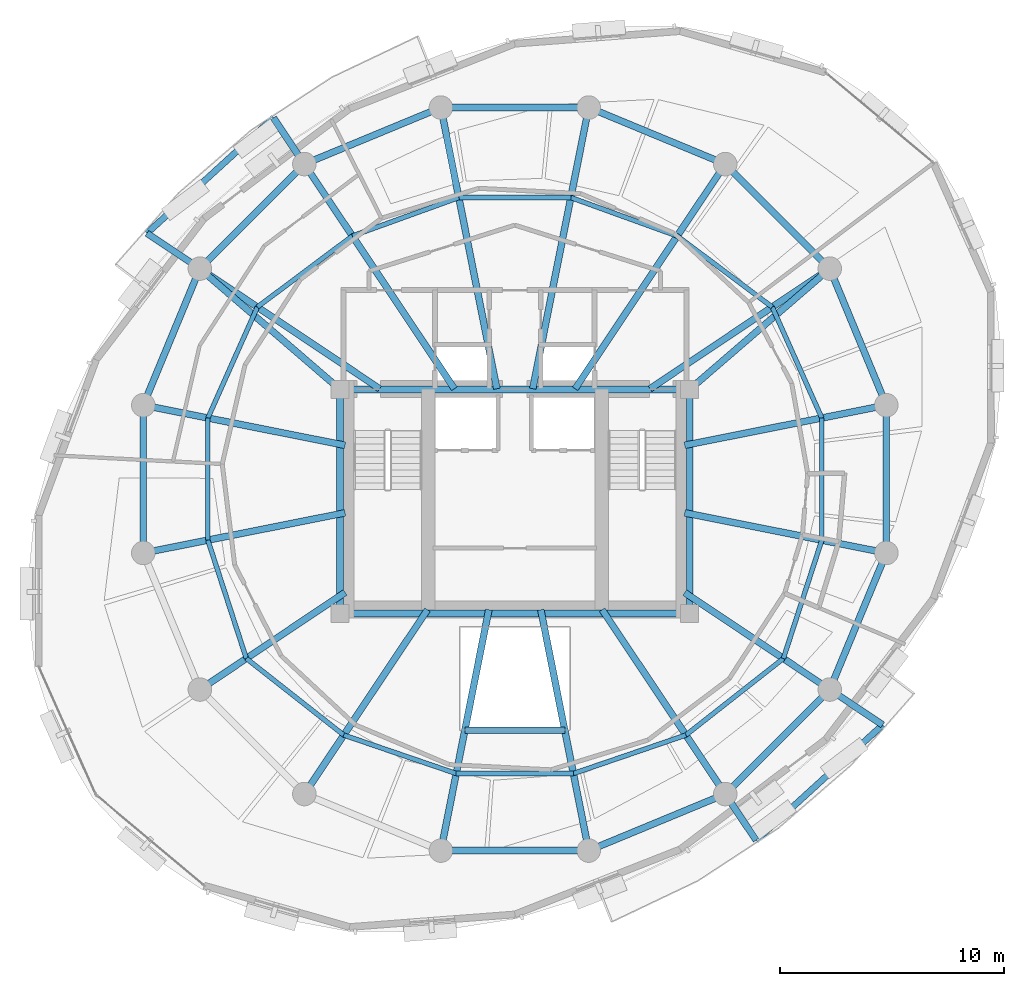
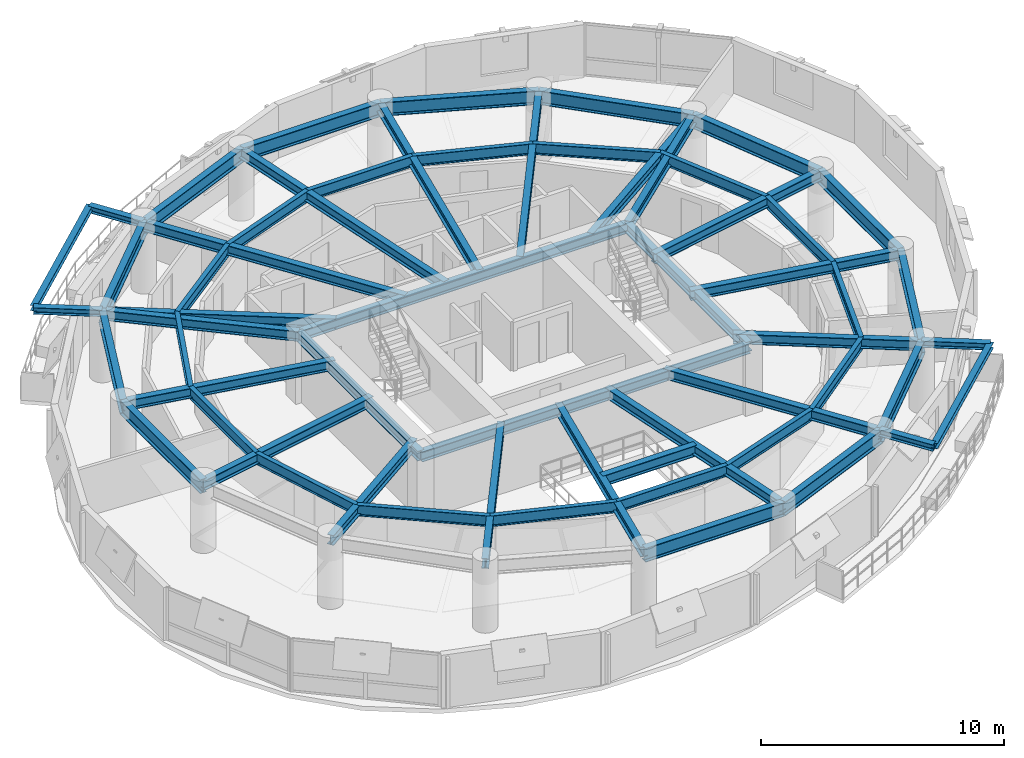
# One storey, part 5 of 12: 58 beams.
"""IFC4 building model written with IfcOpenShell, lengths in metres."""

from ifc_helpers import new_model, si_unit, direction, frame, origin, origin_2d, place, context, subcontext, project, spatial, i_section, extrude, material, material_profile, profile_set, type_object, element, save


model = new_model("IFC4")

# Units and contexts
model_context = context("Model", 3, precision=1e-05, world=origin(), true_north=direction((0.0, 1.0)))
body_context = subcontext(model_context, "Body", "Model", "MODEL_VIEW")
ifc_project = project(units=[si_unit("LENGTHUNIT", "METRE"), si_unit("AREAUNIT", "SQUARE_METRE"), si_unit("VOLUMEUNIT", "CUBIC_METRE"), si_unit("PLANEANGLEUNIT", "RADIAN"), si_unit("MASSUNIT", "GRAM", prefix="KILO"), si_unit("THERMODYNAMICTEMPERATUREUNIT", "KELVIN"), si_unit("POWERUNIT", "WATT")], contexts=[model_context])

# Site, building, storey
site_placement = place(None, origin())
site = spatial("IfcSite", under=ifc_project, at=site_placement, CompositionType="ELEMENT")
building_placement = place(site_placement, origin())
building = spatial("IfcBuilding", under=site, at=building_placement, Name="Ocrelia Relay Tower", CompositionType="ELEMENT")
storey_placement = place(building_placement, frame((0.0, 0.0, 188.0)))
storey = spatial("IfcBuildingStorey", under=building, at=storey_placement, Name="L45", CompositionType="ELEMENT", Elevation=188.0)

# Beams
ifc_material = material(Name="Steel S355", Category="steel")
ifc_material_profile_1 = material_profile(ifc_material, i_section(OverallWidth=0.280029296875, OverallDepth=0.27001953125, WebThickness=0.008056640625, FlangeThickness=0.012939453125, FilletRadius=0.02392578125, at=origin_2d()), Name="HEA 280")
ifc_profile_set_1 = profile_set([ifc_material_profile_1], Name="Steel S355")
beam_type_1 = type_object("IfcBeamType", Name="BM-HEA280", PredefinedType="BEAM", material=ifc_profile_set_1)
for number, where, z_axis, x_axis, name in (
    (1, (23.233154296875, 42.11376953125, 3.2451171875), (-0.738874882171, -0.673842643721, 0.0), (0.673842643721, -0.738874882171, 0.0), "L46 Balcony Edge Trimmer Beam B1"),
    (2, (44.766845703125, 9.88623046875, 3.2451171875), (0.738874882171, 0.673842643721, 0.0), (-0.673842643721, 0.738874882171, 0.0), "L46 Balcony Edge Trimmer Beam B2"),
):
    element("IfcBeam", number, at=place(storey_placement, frame(where, z_axis=z_axis, x_axis=x_axis)), inside=storey, type_object=beam_type_1, Name=name, PredefinedType="BEAM", context=body_context, shape_type="SweptSolid", body=[
        extrude(i_section(OverallWidth=0.280029296875, OverallDepth=0.27001953125, WebThickness=0.008056640625, FlangeThickness=0.012939453125, FilletRadius=0.02392578125, at=origin_2d()), origin(), (0.0, 0.0, 1.0), 7.6396484375),
    ])
ifc_material_profile_2 = material_profile(ifc_material, i_section(OverallWidth=0.300048828125, OverallDepth=0.330078125, WebThickness=0.009521484375, FlangeThickness=0.0166015625, FilletRadius=0.027099609375, at=origin_2d()), Name="HEA 340")
ifc_profile_set_2 = profile_set([ifc_material_profile_2], Name="Steel S355")
beam_type_2 = type_object("IfcBeamType", Name="BM-HEA340", PredefinedType="BEAM", material=ifc_profile_set_2)
beam_1_placement = place(storey_placement, frame((24.61083984375, 40.0517578125, 3.215087890625), z_axis=(-0.555540505254, 0.831489474992, 0.0), x_axis=(-0.831489474992, -0.555540505254, 0.0)))
element("IfcBeam", 3, at=beam_1_placement, inside=storey, type_object=beam_type_2, Name="L46 Balcony Cantilever Beam B1-1", PredefinedType="BEAM", context=body_context, shape_type="SweptSolid", body=[
    extrude(i_section(OverallWidth=0.300048828125, OverallDepth=0.330078125, WebThickness=0.009521484375, FlangeThickness=0.0166015625, FilletRadius=0.027099609375, at=origin_2d()), origin(), (0.0, 0.0, 1.0), 2.47998046875),
])
beam_2_placement = place(storey_placement, frame((19.9482421875, 35.38916015625, 3.215087890625), z_axis=(-0.831494038542, 0.55553367483, 0.0), x_axis=(-0.55553367483, -0.831494038542, 0.0)))
element("IfcBeam", 4, at=beam_2_placement, inside=storey, type_object=beam_type_2, Name="L46 Balcony Cantilever Beam B1-2", PredefinedType="BEAM", context=body_context, shape_type="SweptSolid", body=[
    extrude(i_section(OverallWidth=0.300048828125, OverallDepth=0.330078125, WebThickness=0.009521484375, FlangeThickness=0.0166015625, FilletRadius=0.027099609375, at=origin_2d()), origin(), (0.0, 0.0, 1.0), 2.838134765625),
])
beam_3_placement = place(storey_placement, frame((43.38916015625, 11.9482421875, 3.215087890625), z_axis=(0.555540505254, -0.831489474992, 0.0), x_axis=(0.831489474992, 0.555540505254, 0.0)))
element("IfcBeam", 5, at=beam_3_placement, inside=storey, type_object=beam_type_2, Name="L46 Balcony Cantilever Beam B2-1", PredefinedType="BEAM", context=body_context, shape_type="SweptSolid", body=[
    extrude(i_section(OverallWidth=0.300048828125, OverallDepth=0.330078125, WebThickness=0.009521484375, FlangeThickness=0.0166015625, FilletRadius=0.027099609375, at=origin_2d()), origin(), (0.0, 0.0, 1.0), 2.47998046875),
])
beam_4_placement = place(storey_placement, frame((48.0517578125, 16.61083984375, 3.215087890625), z_axis=(0.831494038542, -0.55553367483, 0.0), x_axis=(0.55553367483, 0.831494038542, 0.0)))
element("IfcBeam", 6, at=beam_4_placement, inside=storey, type_object=beam_type_2, Name="L46 Balcony Cantilever Beam B2-2", PredefinedType="BEAM", context=body_context, shape_type="SweptSolid", body=[
    extrude(i_section(OverallWidth=0.300048828125, OverallDepth=0.330078125, WebThickness=0.009521484375, FlangeThickness=0.0166015625, FilletRadius=0.027099609375, at=origin_2d()), origin(), (0.0, 0.0, 1.0), 2.838134765625),
])
ifc_material_profile_3 = material_profile(ifc_material, i_section(OverallWidth=0.300048828125, OverallDepth=0.5, WebThickness=0.014404296875, FlangeThickness=0.028076171875, FilletRadius=0.027099609375, at=origin_2d()), Name="HEB 500")
ifc_profile_set_3 = profile_set([ifc_material_profile_3], Name="Steel S355")
beam_type_3 = type_object("IfcBeamType", Name="BM-HEB500", PredefinedType="BEAM", material=ifc_profile_set_3)
for number, where, z_axis, x_axis, name in (
    (7, (26.199951171875, 20.0, 3.1298828125), (1.0, 0.0, 0.0), (0.0, 1.0, 0.0), "L45 Core Pilaster Tie Beam S"),
    (8, (26.199951171875, 30.0, 3.1298828125), (1.0, 0.0, 0.0), (0.0, 1.0, 0.0), "L45 Core Pilaster Tie Beam N"),
):
    element("IfcBeam", number, at=place(storey_placement, frame(where, z_axis=z_axis, x_axis=x_axis)), inside=storey, type_object=beam_type_3, Name=name, PredefinedType="BEAM", context=body_context, shape_type="SweptSolid", body=[
        extrude(i_section(OverallWidth=0.300048828125, OverallDepth=0.5, WebThickness=0.014404296875, FlangeThickness=0.028076171875, FilletRadius=0.027099609375, at=origin_2d()), origin(), (0.0, 0.0, 1.0), 15.60009765625),
    ])
for number, where, z_axis, x_axis, name in (
    (9, (26.199951171875, 20.0, 3.1298828125), (0.0, 1.0, 0.0), (-1.0, 0.0, 0.0), "L45 Core Pilaster Tie Beam W"),
    (10, (41.800048828125, 20.0, 3.1298828125), (0.0, 1.0, 0.0), (-1.0, 0.0, 0.0), "L45 Core Pilaster Tie Beam E"),
):
    element("IfcBeam", number, at=place(storey_placement, frame(where, z_axis=z_axis, x_axis=x_axis)), inside=storey, type_object=beam_type_3, Name=name, PredefinedType="BEAM", context=body_context, shape_type="SweptSolid", body=[
        extrude(i_section(OverallWidth=0.300048828125, OverallDepth=0.5, WebThickness=0.014404296875, FlangeThickness=0.028076171875, FilletRadius=0.027099609375, at=origin_2d()), origin(), (0.0, 0.0, 1.0), 10.0),
    ])
beam_5_placement = place(storey_placement, frame((50.5751953125, 29.297119140625, 3.1298828125), z_axis=(-0.980783891197, -0.1950973059, 0.0), x_axis=(0.1950973059, -0.980783891197, 0.0)))
element("IfcBeam", 11, at=beam_5_placement, inside=storey, type_object=beam_type_3, Name="L45 Radial Floor Girder R01", PredefinedType="BEAM", context=body_context, shape_type="SweptSolid", body=[
    extrude(i_section(OverallWidth=0.300048828125, OverallDepth=0.5, WebThickness=0.014404296875, FlangeThickness=0.028076171875, FilletRadius=0.027099609375, at=origin_2d()), origin(), (0.0, 0.0, 1.0), 9.17138671875),
])
beam_6_placement = place(storey_placement, frame((48.0517578125, 35.38916015625, 3.1298828125), z_axis=(-0.831469666235, -0.555570152305, 0.0), x_axis=(0.555570152305, -0.831469666235, 0.0)))
element("IfcBeam", 12, at=beam_6_placement, inside=storey, type_object=beam_type_3, Name="L45 Radial Floor Girder R02", PredefinedType="BEAM", context=body_context, shape_type="SweptSolid", body=[
    extrude(i_section(OverallWidth=0.300048828125, OverallDepth=0.5, WebThickness=0.014404296875, FlangeThickness=0.028076171875, FilletRadius=0.027099609375, at=origin_2d()), origin(), (0.0, 0.0, 1.0), 9.646240234375),
])
beam_7_placement = place(storey_placement, frame((48.0517578125, 35.38916015625, 3.1298828125), z_axis=(-0.757424589403, -0.652922653434, 0.0), x_axis=(0.652922653434, -0.757424589403, 0.0)))
element("IfcBeam", 13, at=beam_7_placement, inside=storey, type_object=beam_type_3, Name="L45 Core Pilaster Frame Tie Beam PT02", PredefinedType="BEAM", context=body_context, shape_type="SweptSolid", body=[
    extrude(i_section(OverallWidth=0.300048828125, OverallDepth=0.5, WebThickness=0.014404296875, FlangeThickness=0.028076171875, FilletRadius=0.027099609375, at=origin_2d()), origin(), (0.0, 0.0, 1.0), 8.25390625),
])
beam_8_placement = place(storey_placement, frame((43.38916015625, 40.0517578125, 3.1298828125), z_axis=(-0.55556932408, -0.831470219636, 0.0), x_axis=(0.831470219636, -0.55556932408, 0.0)))
element("IfcBeam", 14, at=beam_8_placement, inside=storey, type_object=beam_type_3, Name="L45 Radial Floor Girder R03", PredefinedType="BEAM", context=body_context, shape_type="SweptSolid", body=[
    extrude(i_section(OverallWidth=0.300048828125, OverallDepth=0.5, WebThickness=0.014404296875, FlangeThickness=0.028076171875, FilletRadius=0.027099609375, at=origin_2d()), origin(), (0.0, 0.0, 1.0), 12.052978515625),
])
for number, where, z_axis, x_axis, name in (
    (15, (37.297119140625, 42.5751953125, 3.1298828125), (-0.195106626135, -0.980782037171, 0.0), (0.980782037171, -0.195106626135, 0.0), "L45 Radial Floor Girder R04"),
    (16, (30.702880859375, 42.5751953125, 3.1298828125), (0.195106626135, -0.980782037171, 0.0), (0.980782037171, 0.195106626135, 0.0), "L45 Radial Floor Girder R05"),
):
    element("IfcBeam", number, at=place(storey_placement, frame(where, z_axis=z_axis, x_axis=x_axis)), inside=storey, type_object=beam_type_3, Name=name, PredefinedType="BEAM", context=body_context, shape_type="SweptSolid", body=[
        extrude(i_section(OverallWidth=0.300048828125, OverallDepth=0.5, WebThickness=0.014404296875, FlangeThickness=0.028076171875, FilletRadius=0.027099609375, at=origin_2d()), origin(), (0.0, 0.0, 1.0), 12.791015625),
    ])
beam_9_placement = place(storey_placement, frame((24.61083984375, 40.0517578125, 3.1298828125), z_axis=(0.55556932408, -0.831470219636, 0.0), x_axis=(0.831470219636, 0.55556932408, 0.0)))
element("IfcBeam", 17, at=beam_9_placement, inside=storey, type_object=beam_type_3, Name="L45 Radial Floor Girder R06", PredefinedType="BEAM", context=body_context, shape_type="SweptSolid", body=[
    extrude(i_section(OverallWidth=0.300048828125, OverallDepth=0.5, WebThickness=0.014404296875, FlangeThickness=0.028076171875, FilletRadius=0.027099609375, at=origin_2d()), origin(), (0.0, 0.0, 1.0), 12.052978515625),
])
beam_10_placement = place(storey_placement, frame((19.9482421875, 35.38916015625, 3.1298828125), z_axis=(0.831469666235, -0.555570152305, 0.0), x_axis=(0.555570152305, 0.831469666235, 0.0)))
element("IfcBeam", 18, at=beam_10_placement, inside=storey, type_object=beam_type_3, Name="L45 Radial Floor Girder R07", PredefinedType="BEAM", context=body_context, shape_type="SweptSolid", body=[
    extrude(i_section(OverallWidth=0.300048828125, OverallDepth=0.5, WebThickness=0.014404296875, FlangeThickness=0.028076171875, FilletRadius=0.027099609375, at=origin_2d()), origin(), (0.0, 0.0, 1.0), 9.646240234375),
])
beam_11_placement = place(storey_placement, frame((19.9482421875, 35.38916015625, 3.1298828125), z_axis=(0.757424589403, -0.652922653434, 0.0), x_axis=(0.652922653434, 0.757424589403, 0.0)))
element("IfcBeam", 19, at=beam_11_placement, inside=storey, type_object=beam_type_3, Name="L45 Core Pilaster Frame Tie Beam PT07", PredefinedType="BEAM", context=body_context, shape_type="SweptSolid", body=[
    extrude(i_section(OverallWidth=0.300048828125, OverallDepth=0.5, WebThickness=0.014404296875, FlangeThickness=0.028076171875, FilletRadius=0.027099609375, at=origin_2d()), origin(), (0.0, 0.0, 1.0), 8.25390625),
])
for number, where, z_axis, x_axis, name in (
    (20, (17.4248046875, 29.297119140625, 3.1298828125), (0.980784683446, -0.195093323097, 0.0), (0.195093323097, 0.980784683446, 0.0), "L45 Radial Floor Girder R08"),
    (21, (17.4248046875, 22.702880859375, 3.1298828125), (0.980784683446, 0.195093323097, 0.0), (-0.195093323097, 0.980784683446, 0.0), "L45 Radial Floor Girder R09"),
):
    element("IfcBeam", number, at=place(storey_placement, frame(where, z_axis=z_axis, x_axis=x_axis)), inside=storey, type_object=beam_type_3, Name=name, PredefinedType="BEAM", context=body_context, shape_type="SweptSolid", body=[
        extrude(i_section(OverallWidth=0.300048828125, OverallDepth=0.5, WebThickness=0.014404296875, FlangeThickness=0.028076171875, FilletRadius=0.027099609375, at=origin_2d()), origin(), (0.0, 0.0, 1.0), 9.181640625),
    ])
beam_12_placement = place(storey_placement, frame((19.9482421875, 16.61083984375, 3.1298828125), z_axis=(0.831462012084, 0.555581607382, 0.0), x_axis=(-0.555581607382, 0.831462012084, 0.0)))
element("IfcBeam", 22, at=beam_12_placement, inside=storey, type_object=beam_type_3, Name="L45 Radial Floor Girder R10", PredefinedType="BEAM", context=body_context, shape_type="SweptSolid", body=[
    extrude(i_section(OverallWidth=0.300048828125, OverallDepth=0.5, WebThickness=0.014404296875, FlangeThickness=0.028076171875, FilletRadius=0.027099609375, at=origin_2d()), origin(), (0.0, 0.0, 1.0), 7.795654296875),
])
beam_13_placement = place(storey_placement, frame((24.61083984375, 11.9482421875, 3.1298828125), z_axis=(0.555577337069, 0.831464865485, 0.0), x_axis=(-0.831464865485, 0.555577337069, 0.0)))
element("IfcBeam", 23, at=beam_13_placement, inside=storey, type_object=beam_type_3, Name="L45 Radial Floor Girder R11", PredefinedType="BEAM", context=body_context, shape_type="SweptSolid", body=[
    extrude(i_section(OverallWidth=0.300048828125, OverallDepth=0.5, WebThickness=0.014404296875, FlangeThickness=0.028076171875, FilletRadius=0.027099609375, at=origin_2d()), origin(), (0.0, 0.0, 1.0), 9.88818359375),
])
for number, where, z_axis, x_axis, name in (
    (24, (30.702880859375, 9.4248046875, 3.1298828125), (0.195100373206, 0.980783281044, 0.0), (-0.980783281044, 0.195100373206, 0.0), "L45 Radial Floor Girder R12"),
    (25, (37.297119140625, 9.4248046875, 3.1298828125), (-0.195100373206, 0.980783281044, 0.0), (-0.980783281044, -0.195100373206, 0.0), "L45 Radial Floor Girder R13"),
):
    element("IfcBeam", number, at=place(storey_placement, frame(where, z_axis=z_axis, x_axis=x_axis)), inside=storey, type_object=beam_type_3, Name=name, PredefinedType="BEAM", context=body_context, shape_type="SweptSolid", body=[
        extrude(i_section(OverallWidth=0.300048828125, OverallDepth=0.5, WebThickness=0.014404296875, FlangeThickness=0.028076171875, FilletRadius=0.027099609375, at=origin_2d()), origin(), (0.0, 0.0, 1.0), 10.95556640625),
    ])
beam_14_placement = place(storey_placement, frame((43.38916015625, 11.9482421875, 3.1298828125), z_axis=(-0.555577337069, 0.831464865485, 0.0), x_axis=(-0.831464865485, -0.555577337069, 0.0)))
element("IfcBeam", 26, at=beam_14_placement, inside=storey, type_object=beam_type_3, Name="L45 Radial Floor Girder R14", PredefinedType="BEAM", context=body_context, shape_type="SweptSolid", body=[
    extrude(i_section(OverallWidth=0.300048828125, OverallDepth=0.5, WebThickness=0.014404296875, FlangeThickness=0.028076171875, FilletRadius=0.027099609375, at=origin_2d()), origin(), (0.0, 0.0, 1.0), 9.88818359375),
])
beam_15_placement = place(storey_placement, frame((48.0517578125, 16.61083984375, 3.1298828125), z_axis=(-0.831456272244, 0.555590197309, 0.0), x_axis=(-0.555590197309, -0.831456272244, 0.0)))
element("IfcBeam", 27, at=beam_15_placement, inside=storey, type_object=beam_type_3, Name="L45 Radial Floor Girder R15", PredefinedType="BEAM", context=body_context, shape_type="SweptSolid", body=[
    extrude(i_section(OverallWidth=0.300048828125, OverallDepth=0.5, WebThickness=0.014404296875, FlangeThickness=0.028076171875, FilletRadius=0.027099609375, at=origin_2d()), origin(), (0.0, 0.0, 1.0), 7.783447265625),
])
beam_16_placement = place(storey_placement, frame((50.5751953125, 22.702880859375, 3.1298828125), z_axis=(-0.980783891197, 0.1950973059, 0.0), x_axis=(-0.1950973059, -0.980783891197, 0.0)))
element("IfcBeam", 28, at=beam_16_placement, inside=storey, type_object=beam_type_3, Name="L45 Radial Floor Girder R16", PredefinedType="BEAM", context=body_context, shape_type="SweptSolid", body=[
    extrude(i_section(OverallWidth=0.300048828125, OverallDepth=0.5, WebThickness=0.014404296875, FlangeThickness=0.028076171875, FilletRadius=0.027099609375, at=origin_2d()), origin(), (0.0, 0.0, 1.0), 9.17138671875),
])
ifc_material_profile_4 = material_profile(ifc_material, i_section(OverallWidth=0.300048828125, OverallDepth=0.550048828125, WebThickness=0.014892578125, FlangeThickness=0.029052734375, FilletRadius=0.027099609375, at=origin_2d()), Name="HEB 550")
ifc_profile_set_4 = profile_set([ifc_material_profile_4], Name="Steel S355")
beam_type_4 = type_object("IfcBeamType", Name="BM-HEB550", PredefinedType="BEAM", material=ifc_profile_set_4)
beam_17_placement = place(storey_placement, frame((31.772216796875, 14.800048828125, 3.10498046875), z_axis=(1.0, 0.0, 0.0), x_axis=(0.0, 1.0, 0.0)))
element("IfcBeam", 29, at=beam_17_placement, inside=storey, type_object=beam_type_4, Name="L45 Atrium South Trimmer Beam", PredefinedType="BEAM", context=body_context, shape_type="SweptSolid", body=[
    extrude(i_section(OverallWidth=0.300048828125, OverallDepth=0.550048828125, WebThickness=0.014892578125, FlangeThickness=0.029052734375, FilletRadius=0.027099609375, at=origin_2d()), origin(), (0.0, 0.0, 1.0), 4.45556640625),
])
ifc_material_profile_5 = material_profile(ifc_material, i_section(OverallWidth=0.300048828125, OverallDepth=0.699951171875, WebThickness=0.01708984375, FlangeThickness=0.031982421875, FilletRadius=0.027099609375, at=origin_2d()), Name="HEB 700")
ifc_profile_set_5 = profile_set([ifc_material_profile_5], Name="Steel S355")
beam_type_5 = type_object("IfcBeamType", Name="BM-HEB700", PredefinedType="BEAM", material=ifc_profile_set_5)
for number, where, z_axis, x_axis, name in (
    (30, (50.5751953125, 29.297119140625, 3.030029296875), (-0.382687508402, 0.923877844151, 0.0), (-0.923877844151, -0.382687508402, 0.0), "L45 Perimeter Spandrel Beam S01"),
    (31, (48.0517578125, 35.38916015625, 3.030029296875), (-0.707106781187, 0.707106781187, 0.0), (-0.707106781187, -0.707106781187, 0.0), "L45 Perimeter Spandrel Beam S02"),
    (32, (43.38916015625, 40.0517578125, 3.030029296875), (-0.923877844151, 0.382687508402, 0.0), (-0.382687508402, -0.923877844151, 0.0), "L45 Perimeter Spandrel Beam S03"),
):
    element("IfcBeam", number, at=place(storey_placement, frame(where, z_axis=z_axis, x_axis=x_axis)), inside=storey, type_object=beam_type_5, Name=name, PredefinedType="BEAM", context=body_context, shape_type="SweptSolid", body=[
        extrude(i_section(OverallWidth=0.300048828125, OverallDepth=0.699951171875, WebThickness=0.01708984375, FlangeThickness=0.031982421875, FilletRadius=0.027099609375, at=origin_2d()), origin(), (0.0, 0.0, 1.0), 6.593994140625),
    ])
beam_18_placement = place(storey_placement, frame((37.297119140625, 42.5751953125, 3.030029296875), z_axis=(-1.0, 0.0, 0.0), x_axis=(0.0, -1.0, 0.0)))
element("IfcBeam", 33, at=beam_18_placement, inside=storey, type_object=beam_type_5, Name="L45 Perimeter Spandrel Beam S04", PredefinedType="BEAM", context=body_context, shape_type="SweptSolid", body=[
    extrude(i_section(OverallWidth=0.300048828125, OverallDepth=0.699951171875, WebThickness=0.01708984375, FlangeThickness=0.031982421875, FilletRadius=0.027099609375, at=origin_2d()), origin(), (0.0, 0.0, 1.0), 6.59423828125),
])
for number, where, z_axis, x_axis, name in (
    (34, (30.702880859375, 42.5751953125, 3.030029296875), (-0.923877844151, -0.382687508402, 0.0), (0.382687508402, -0.923877844151, 0.0), "L45 Perimeter Spandrel Beam S05"),
    (35, (24.61083984375, 40.0517578125, 3.030029296875), (-0.707106781187, -0.707106781187, 0.0), (0.707106781187, -0.707106781187, 0.0), "L45 Perimeter Spandrel Beam S06"),
    (36, (19.9482421875, 35.38916015625, 3.030029296875), (-0.382687508402, -0.923877844151, 0.0), (0.923877844151, -0.382687508402, 0.0), "L45 Perimeter Spandrel Beam S07"),
):
    element("IfcBeam", number, at=place(storey_placement, frame(where, z_axis=z_axis, x_axis=x_axis)), inside=storey, type_object=beam_type_5, Name=name, PredefinedType="BEAM", context=body_context, shape_type="SweptSolid", body=[
        extrude(i_section(OverallWidth=0.300048828125, OverallDepth=0.699951171875, WebThickness=0.01708984375, FlangeThickness=0.031982421875, FilletRadius=0.027099609375, at=origin_2d()), origin(), (0.0, 0.0, 1.0), 6.593994140625),
    ])
for number, where, z_axis, x_axis, name in (
    (37, (17.4248046875, 29.297119140625, 3.030029296875), (0.0, -1.0, 0.0), (1.0, 0.0, 0.0), "L45 Perimeter Spandrel Beam S08"),
    (38, (30.702880859375, 9.4248046875, 3.030029296875), (1.0, 0.0, 0.0), (0.0, 1.0, 0.0), "L45 Perimeter Spandrel Beam S12"),
):
    element("IfcBeam", number, at=place(storey_placement, frame(where, z_axis=z_axis, x_axis=x_axis)), inside=storey, type_object=beam_type_5, Name=name, PredefinedType="BEAM", context=body_context, shape_type="SweptSolid", body=[
        extrude(i_section(OverallWidth=0.300048828125, OverallDepth=0.699951171875, WebThickness=0.01708984375, FlangeThickness=0.031982421875, FilletRadius=0.027099609375, at=origin_2d()), origin(), (0.0, 0.0, 1.0), 6.59423828125),
    ])
for number, where, z_axis, x_axis, name in (
    (39, (37.297119140625, 9.4248046875, 3.030029296875), (0.923877844151, 0.382687508402, 0.0), (-0.382687508402, 0.923877844151, 0.0), "L45 Perimeter Spandrel Beam S13"),
    (40, (43.38916015625, 11.9482421875, 3.030029296875), (0.707106781187, 0.707106781187, 0.0), (-0.707106781187, 0.707106781187, 0.0), "L45 Perimeter Spandrel Beam S14"),
    (41, (48.0517578125, 16.61083984375, 3.030029296875), (0.382687508402, 0.923877844151, 0.0), (-0.923877844151, 0.382687508402, 0.0), "L45 Perimeter Spandrel Beam S15"),
):
    element("IfcBeam", number, at=place(storey_placement, frame(where, z_axis=z_axis, x_axis=x_axis)), inside=storey, type_object=beam_type_5, Name=name, PredefinedType="BEAM", context=body_context, shape_type="SweptSolid", body=[
        extrude(i_section(OverallWidth=0.300048828125, OverallDepth=0.699951171875, WebThickness=0.01708984375, FlangeThickness=0.031982421875, FilletRadius=0.027099609375, at=origin_2d()), origin(), (0.0, 0.0, 1.0), 6.593994140625),
    ])
beam_19_placement = place(storey_placement, frame((50.5751953125, 22.702880859375, 3.030029296875), z_axis=(0.0, 1.0, 0.0), x_axis=(-1.0, 0.0, 0.0)))
element("IfcBeam", 42, at=beam_19_placement, inside=storey, type_object=beam_type_5, Name="L45 Perimeter Spandrel Beam S16", PredefinedType="BEAM", context=body_context, shape_type="SweptSolid", body=[
    extrude(i_section(OverallWidth=0.300048828125, OverallDepth=0.699951171875, WebThickness=0.01708984375, FlangeThickness=0.031982421875, FilletRadius=0.027099609375, at=origin_2d()), origin(), (0.0, 0.0, 1.0), 6.59423828125),
])
ifc_material_profile_6 = material_profile(ifc_material, i_section(OverallWidth=0.2099609375, OverallDepth=0.550048828125, WebThickness=0.010986328125, FlangeThickness=0.01708984375, FilletRadius=0.02392578125, at=origin_2d()), Name="IPE 550")
ifc_profile_set_6 = profile_set([ifc_material_profile_6], Name="Steel S355")
beam_type_6 = type_object("IfcBeamType", Name="BM-IPE550", PredefinedType="JOIST", material=ifc_profile_set_6)
beam_20_placement = place(storey_placement, frame((47.69677734375, 28.724365234375, 3.10498046875), z_axis=(-0.407938464853, 0.913009424318, 0.0), x_axis=(-0.913009424318, -0.407938464853, 0.0)))
element("IfcBeam", 43, at=beam_20_placement, inside=storey, type_object=beam_type_6, Name="L45 Secondary Floor Joist J01", PredefinedType="JOIST", context=body_context, shape_type="SweptSolid", body=[
    extrude(i_section(OverallWidth=0.2099609375, OverallDepth=0.550048828125, WebThickness=0.010986328125, FlangeThickness=0.01708984375, FilletRadius=0.02392578125, at=origin_2d()), origin(), (0.0, 0.0, 1.0), 5.421630859375),
])
beam_21_placement = place(storey_placement, frame((45.485107421875, 33.67431640625, 3.10498046875), z_axis=(-0.800785247359, 0.598951573678, 0.0), x_axis=(-0.598951573678, -0.800785247359, 0.0)))
element("IfcBeam", 44, at=beam_21_placement, inside=storey, type_object=beam_type_6, Name="L45 Secondary Floor Joist J02", PredefinedType="JOIST", context=body_context, shape_type="SweptSolid", body=[
    extrude(i_section(OverallWidth=0.2099609375, OverallDepth=0.550048828125, WebThickness=0.010986328125, FlangeThickness=0.01708984375, FilletRadius=0.02392578125, at=origin_2d()), origin(), (0.0, 0.0, 1.0), 5.293212890625),
])
beam_22_placement = place(storey_placement, frame((41.246337890625, 36.8447265625, 3.10498046875), z_axis=(-0.940453871246, 0.339921338046, 0.0), x_axis=(-0.339921338046, -0.940453871246, 0.0)))
element("IfcBeam", 45, at=beam_22_placement, inside=storey, type_object=beam_type_6, Name="L45 Secondary Floor Joist J03", PredefinedType="JOIST", context=body_context, shape_type="SweptSolid", body=[
    extrude(i_section(OverallWidth=0.2099609375, OverallDepth=0.550048828125, WebThickness=0.010986328125, FlangeThickness=0.01708984375, FilletRadius=0.02392578125, at=origin_2d()), origin(), (0.0, 0.0, 1.0), 5.04833984375),
])
beam_23_placement = place(storey_placement, frame((36.49853515625, 38.560791015625, 3.10498046875), z_axis=(-1.0, 0.0, 0.0), x_axis=(0.0, -1.0, 0.0)))
element("IfcBeam", 46, at=beam_23_placement, inside=storey, type_object=beam_type_6, Name="L45 Secondary Floor Joist J04", PredefinedType="JOIST", context=body_context, shape_type="SweptSolid", body=[
    extrude(i_section(OverallWidth=0.2099609375, OverallDepth=0.550048828125, WebThickness=0.010986328125, FlangeThickness=0.01708984375, FilletRadius=0.02392578125, at=origin_2d()), origin(), (0.0, 0.0, 1.0), 4.9970703125),
])
beam_24_placement = place(storey_placement, frame((31.50146484375, 38.560791015625, 3.10498046875), z_axis=(-0.940453871246, -0.339921338046, 0.0), x_axis=(0.339921338046, -0.940453871246, 0.0)))
element("IfcBeam", 47, at=beam_24_placement, inside=storey, type_object=beam_type_6, Name="L45 Secondary Floor Joist J05", PredefinedType="JOIST", context=body_context, shape_type="SweptSolid", body=[
    extrude(i_section(OverallWidth=0.2099609375, OverallDepth=0.550048828125, WebThickness=0.010986328125, FlangeThickness=0.01708984375, FilletRadius=0.02392578125, at=origin_2d()), origin(), (0.0, 0.0, 1.0), 5.04833984375),
])
beam_25_placement = place(storey_placement, frame((26.753662109375, 36.8447265625, 3.10498046875), z_axis=(-0.800785247359, -0.598951573678, 0.0), x_axis=(0.598951573678, -0.800785247359, 0.0)))
element("IfcBeam", 48, at=beam_25_placement, inside=storey, type_object=beam_type_6, Name="L45 Secondary Floor Joist J06", PredefinedType="JOIST", context=body_context, shape_type="SweptSolid", body=[
    extrude(i_section(OverallWidth=0.2099609375, OverallDepth=0.550048828125, WebThickness=0.010986328125, FlangeThickness=0.01708984375, FilletRadius=0.02392578125, at=origin_2d()), origin(), (0.0, 0.0, 1.0), 5.293212890625),
])
beam_26_placement = place(storey_placement, frame((22.514892578125, 33.67431640625, 3.10498046875), z_axis=(-0.407416785709, -0.913242335157, 0.0), x_axis=(0.913242335157, -0.407416785709, 0.0)))
element("IfcBeam", 49, at=beam_26_placement, inside=storey, type_object=beam_type_6, Name="L45 Secondary Floor Joist J07", PredefinedType="JOIST", context=body_context, shape_type="SweptSolid", body=[
    extrude(i_section(OverallWidth=0.2099609375, OverallDepth=0.550048828125, WebThickness=0.010986328125, FlangeThickness=0.01708984375, FilletRadius=0.02392578125, at=origin_2d()), origin(), (0.0, 0.0, 1.0), 5.420654296875),
])
beam_27_placement = place(storey_placement, frame((20.306396484375, 28.723876953125, 3.10498046875), z_axis=(0.0, -1.0, 0.0), x_axis=(1.0, 0.0, 0.0)))
element("IfcBeam", 50, at=beam_27_placement, inside=storey, type_object=beam_type_6, Name="L45 Secondary Floor Joist J08", PredefinedType="JOIST", context=body_context, shape_type="SweptSolid", body=[
    extrude(i_section(OverallWidth=0.2099609375, OverallDepth=0.550048828125, WebThickness=0.010986328125, FlangeThickness=0.01708984375, FilletRadius=0.02392578125, at=origin_2d()), origin(), (0.0, 0.0, 1.0), 5.44775390625),
])
beam_28_placement = place(storey_placement, frame((20.306396484375, 23.276123046875, 3.10498046875), z_axis=(0.309133805786, -0.951018554036, 0.0), x_axis=(0.951018554036, 0.309133805786, 0.0)))
element("IfcBeam", 51, at=beam_28_placement, inside=storey, type_object=beam_type_6, Name="L45 Secondary Floor Joist J09", PredefinedType="JOIST", context=body_context, shape_type="SweptSolid", body=[
    extrude(i_section(OverallWidth=0.2099609375, OverallDepth=0.550048828125, WebThickness=0.010986328125, FlangeThickness=0.01708984375, FilletRadius=0.02392578125, at=origin_2d()), origin(), (0.0, 0.0, 1.0), 5.55126953125),
])
beam_29_placement = place(storey_placement, frame((22.0224609375, 17.996826171875, 3.10498046875), z_axis=(0.786083859045, -0.618119864224, 0.0), x_axis=(0.618119864224, 0.786083859045, 0.0)))
element("IfcBeam", 52, at=beam_29_placement, inside=storey, type_object=beam_type_6, Name="L45 Secondary Floor Joist J10", PredefinedType="JOIST", context=body_context, shape_type="SweptSolid", body=[
    extrude(i_section(OverallWidth=0.2099609375, OverallDepth=0.550048828125, WebThickness=0.010986328125, FlangeThickness=0.01708984375, FilletRadius=0.02392578125, at=origin_2d()), origin(), (0.0, 0.0, 1.0), 5.529296875),
])
beam_30_placement = place(storey_placement, frame((26.368896484375, 14.5791015625, 3.10498046875), z_axis=(0.946215174492, -0.323538009454, 0.0), x_axis=(0.323538009454, 0.946215174492, 0.0)))
element("IfcBeam", 53, at=beam_30_placement, inside=storey, type_object=beam_type_6, Name="L45 Secondary Floor Joist J11", PredefinedType="JOIST", context=body_context, shape_type="SweptSolid", body=[
    extrude(i_section(OverallWidth=0.2099609375, OverallDepth=0.550048828125, WebThickness=0.010986328125, FlangeThickness=0.01708984375, FilletRadius=0.02392578125, at=origin_2d()), origin(), (0.0, 0.0, 1.0), 5.30322265625),
])
beam_31_placement = place(storey_placement, frame((31.386962890625, 12.86328125, 3.10498046875), z_axis=(1.0, 0.0, 0.0), x_axis=(0.0, 1.0, 0.0)))
element("IfcBeam", 54, at=beam_31_placement, inside=storey, type_object=beam_type_6, Name="L45 Secondary Floor Joist J12", PredefinedType="JOIST", context=body_context, shape_type="SweptSolid", body=[
    extrude(i_section(OverallWidth=0.2099609375, OverallDepth=0.550048828125, WebThickness=0.010986328125, FlangeThickness=0.01708984375, FilletRadius=0.02392578125, at=origin_2d()), origin(), (0.0, 0.0, 1.0), 5.22607421875),
])
beam_32_placement = place(storey_placement, frame((36.613037109375, 12.86328125, 3.10498046875), z_axis=(0.946215174492, 0.323538009454, 0.0), x_axis=(-0.323538009454, 0.946215174492, 0.0)))
element("IfcBeam", 55, at=beam_32_placement, inside=storey, type_object=beam_type_6, Name="L45 Secondary Floor Joist J13", PredefinedType="JOIST", context=body_context, shape_type="SweptSolid", body=[
    extrude(i_section(OverallWidth=0.2099609375, OverallDepth=0.550048828125, WebThickness=0.010986328125, FlangeThickness=0.01708984375, FilletRadius=0.02392578125, at=origin_2d()), origin(), (0.0, 0.0, 1.0), 5.30322265625),
])
beam_33_placement = place(storey_placement, frame((41.631103515625, 14.5791015625, 3.10498046875), z_axis=(0.78649600233, 0.617595367793, 0.0), x_axis=(-0.617595367793, 0.78649600233, 0.0)))
element("IfcBeam", 56, at=beam_33_placement, inside=storey, type_object=beam_type_6, Name="L45 Secondary Floor Joist J14", PredefinedType="JOIST", context=body_context, shape_type="SweptSolid", body=[
    extrude(i_section(OverallWidth=0.2099609375, OverallDepth=0.550048828125, WebThickness=0.010986328125, FlangeThickness=0.01708984375, FilletRadius=0.02392578125, at=origin_2d()), origin(), (0.0, 0.0, 1.0), 5.5302734375),
])
beam_34_placement = place(storey_placement, frame((45.980712890625, 17.99462890625, 3.10498046875), z_axis=(0.309043322978, 0.95104796121, 0.0), x_axis=(-0.95104796121, 0.309043322978, 0.0)))
element("IfcBeam", 57, at=beam_34_placement, inside=storey, type_object=beam_type_6, Name="L45 Secondary Floor Joist J15", PredefinedType="JOIST", context=body_context, shape_type="SweptSolid", body=[
    extrude(i_section(OverallWidth=0.2099609375, OverallDepth=0.550048828125, WebThickness=0.010986328125, FlangeThickness=0.01708984375, FilletRadius=0.02392578125, at=origin_2d()), origin(), (0.0, 0.0, 1.0), 5.552734375),
])
beam_35_placement = place(storey_placement, frame((47.69677734375, 23.275634765625, 3.10498046875), z_axis=(0.0, 1.0, 0.0), x_axis=(-1.0, 0.0, 0.0)))
element("IfcBeam", 58, at=beam_35_placement, inside=storey, type_object=beam_type_6, Name="L45 Secondary Floor Joist J16", PredefinedType="JOIST", context=body_context, shape_type="SweptSolid", body=[
    extrude(i_section(OverallWidth=0.2099609375, OverallDepth=0.550048828125, WebThickness=0.010986328125, FlangeThickness=0.01708984375, FilletRadius=0.02392578125, at=origin_2d()), origin(), (0.0, 0.0, 1.0), 5.44873046875),
])

save(model, "model.ifc")
